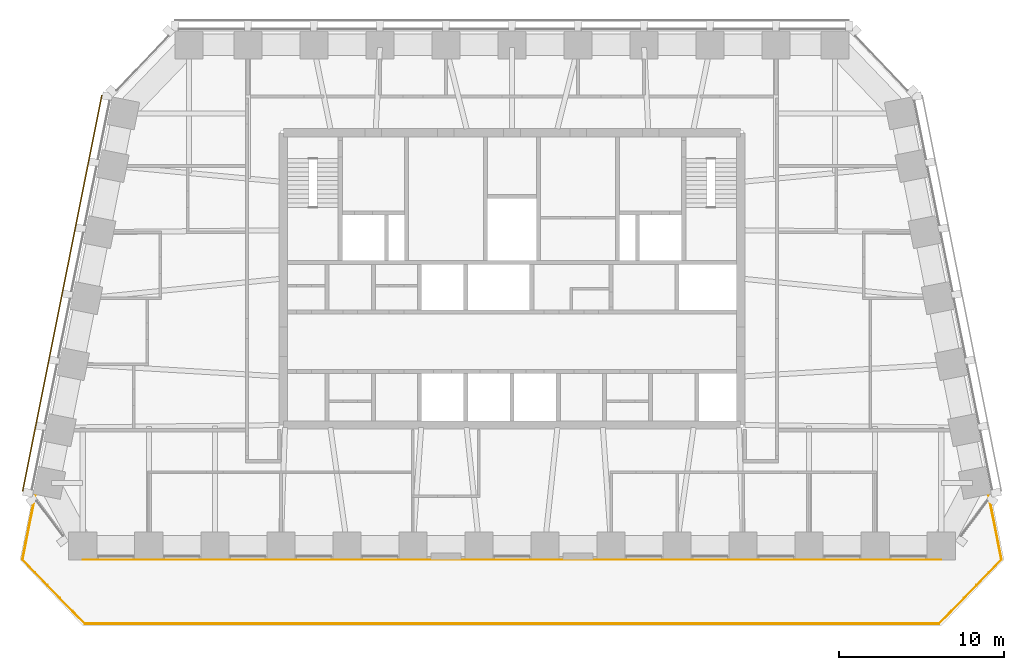
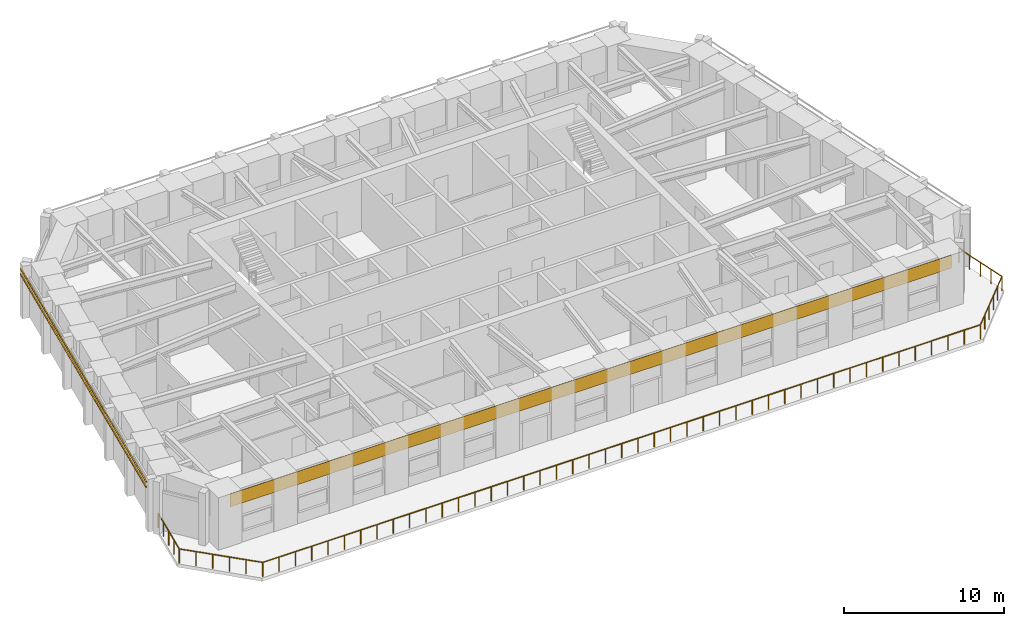
# One storey, part 8 of 10: 2 shading devices, 1 covering, 1 railing.
"""IFC4 building model written with IfcOpenShell, lengths in metres."""

from ifc_helpers import new_model, si_unit, direction, frame, origin, origin_2d, place, context, subcontext, project, spatial, rectangle, circle, extrude, material, layer, layer_set, material_profile, profile_set, type_object, element, save


model = new_model("IFC4")

# Units and contexts
model_context = context("Model", 3, precision=1e-05, world=origin(), true_north=direction((0.0, 1.0)))
body_context = subcontext(model_context, "Body", "Model", "MODEL_VIEW")
ifc_project = project(units=[si_unit("LENGTHUNIT", "METRE"), si_unit("AREAUNIT", "SQUARE_METRE"), si_unit("VOLUMEUNIT", "CUBIC_METRE"), si_unit("PLANEANGLEUNIT", "RADIAN"), si_unit("MASSUNIT", "GRAM", prefix="KILO")], contexts=[model_context])

# Site, building, storey
site_placement = place(None, origin())
site = spatial("IfcSite", under=ifc_project, at=site_placement, CompositionType="ELEMENT")
building_placement = place(site_placement, origin())
building = spatial("IfcBuilding", under=site, at=building_placement, Name="Isbrekke Arena Tower", CompositionType="ELEMENT")
storey_placement = place(building_placement, frame((0.0, 0.0, 296.0)))
storey = spatial("IfcBuildingStorey", under=building, at=storey_placement, Name="L69", CompositionType="ELEMENT", Elevation=296.0)

# Shading devices
ifc_material_1 = material(Name="Terracotta", Category="masonry")
ifc_material_profile = material_profile(ifc_material_1, rectangle(XDim=0.06005859375, YDim=0.06005859375, at=origin_2d()), Name="BAGUETTE 60X60")
ifc_profile_set = profile_set([ifc_material_profile], Name="Terracotta")
shading_device_type = type_object("IfcShadingDeviceType", Name="BG1 TERRACOTTA BAGUETTE 60 x 60", PredefinedType="USERDEFINED", material=ifc_profile_set)
for number, where, z_axis, x_axis, name in (
    (1, (-24.84228515625, 26.12841796875, 3.280029296875), (-0.196118053403, -0.980580292036, 0.0), (0.980580292036, -0.196118053403, 0.0), "BG1 terracotta baguette W1 L69"),
    (2, (-24.84228515625, 26.12841796875, 3.679931640625), (-0.196118053403, -0.980580292036, 0.0), (0.980580292036, -0.196118053403, 0.0), "BG1 terracotta baguette W2 L69"),
):
    element("IfcShadingDevice", number, at=place(storey_placement, frame(where, z_axis=z_axis, x_axis=x_axis)), inside=storey, type_object=shading_device_type, Name=name, ObjectType="TERRACOTTA BAGUETTE", PredefinedType="USERDEFINED", context=body_context, shape_type="SweptSolid", body=[
        extrude(rectangle(XDim=0.06005859375, YDim=0.06005859375, at=origin_2d()), origin(), (0.0, 0.0, 1.0), 24.475341796875),
    ])

# Covering
ifc_material_2 = material(Name="Pre-patinated copper sheet", Category="metal")
ifc_layer = layer(ifc_material_2, 0.02001953125)
ifc_layer_set = layer_set([ifc_layer], Name="CL1 COPPER CLADDING")
covering_type = type_object("IfcCoveringType", Name="CL1 COPPER CLADDING", PredefinedType="CLADDING", material=ifc_layer_set)
covering_placement = place(storey_placement, frame((0.0, -2.010009765625, 3.0), z_axis=(0.0, 0.0, 1.0), x_axis=(1.0, 0.0, 0.0)))
element("IfcCovering", 3, at=covering_placement, inside=storey, type_object=covering_type, Name="CL1 copper cladding L69", PredefinedType="CLADDING", context=body_context, shape_type="SweptSolid", body=[
    extrude(rectangle(XDim=52.0, YDim=0.02001953125, at=origin_2d()), origin(), (0.0, 0.0, 1.0), 1.0),
])

# Railing
ifc_material_3 = material(Name="Galvanised steel guard", Category="steel")
railing_type = type_object("IfcRailingType", Name="GR2 TERRACE GUARD 1100", PredefinedType="GUARDRAIL", material=ifc_material_3)
railing_placement = place(storey_placement, frame((-28.85498046875, 2.0, 0.0)))
element("IfcRailing", 4, at=railing_placement, inside=storey, type_object=railing_type, Name="GR2 terrace guard L69", PredefinedType="GUARDRAIL", context=body_context, shape_type="SweptSolid", body=[
    extrude(circle(Radius=0.02392578125, at=origin_2d()), frame((0.0, 0.0, 1.076171875), z_axis=(-0.195149043574, -0.980773598132, 0.0), x_axis=(0.980773598132, -0.195149043574, 0.0)), (0.0, 0.0, 1.0), 4.078369140625),
    extrude(circle(Radius=0.02392578125, at=origin_2d()), frame((-0.7958984375, -4.0, 1.076171875), z_axis=(0.697899107327, -0.716196087669, 0.0), x_axis=(0.716196087669, 0.697899107327, 0.0)), (0.0, 0.0, 1.0), 5.417236328125),
    extrude(circle(Radius=0.02392578125, at=origin_2d()), frame((2.98486328125, -7.8798828125, 1.076171875), z_axis=(1.0, 0.0, 0.0), x_axis=(0.0, 1.0, 0.0)), (0.0, 0.0, 1.0), 51.740234375),
    extrude(circle(Radius=0.02392578125, at=origin_2d()), frame((54.72509765625, -7.8798828125, 1.076171875), z_axis=(0.697899107327, 0.716196087669, 0.0), x_axis=(-0.716196087669, 0.697899107327, 0.0)), (0.0, 0.0, 1.0), 5.417236328125),
    extrude(circle(Radius=0.02392578125, at=origin_2d()), frame((58.505859375, -4.0, 1.076171875), z_axis=(-0.195149043574, 0.980773598132, 0.0), x_axis=(-0.980773598132, -0.195149043574, 0.0)), (0.0, 0.0, 1.0), 4.078369140625),
    extrude(circle(Radius=0.02099609375, at=origin_2d()), origin(), (0.0, 0.0, 1.0), 1.052001953125),
    extrude(circle(Radius=0.02099609375, at=origin_2d()), frame((-0.198974609375, -1.0, 0.0)), (0.0, 0.0, 1.0), 1.052001953125),
    extrude(circle(Radius=0.02099609375, at=origin_2d()), frame((-0.39794921875, -2.0, 0.0)), (0.0, 0.0, 1.0), 1.052001953125),
    extrude(circle(Radius=0.02099609375, at=origin_2d()), frame((-0.596923828125, -3.0, 0.0)), (0.0, 0.0, 1.0), 1.052001953125),
    extrude(circle(Radius=0.02099609375, at=origin_2d()), frame((-0.7958984375, -4.0, 0.0)), (0.0, 0.0, 1.0), 1.052001953125),
    extrude(circle(Radius=0.02099609375, at=origin_2d()), frame((-0.039794921875, -4.77587890625, 0.0)), (0.0, 0.0, 1.0), 1.052001953125),
    extrude(circle(Radius=0.02099609375, at=origin_2d()), frame((0.71630859375, -5.552001953125, 0.0)), (0.0, 0.0, 1.0), 1.052001953125),
    extrude(circle(Radius=0.02099609375, at=origin_2d()), frame((1.47265625, -6.327880859375, 0.0)), (0.0, 0.0, 1.0), 1.052001953125),
    extrude(circle(Radius=0.02099609375, at=origin_2d()), frame((2.228759765625, -7.10400390625, 0.0)), (0.0, 0.0, 1.0), 1.052001953125),
    extrude(circle(Radius=0.02099609375, at=origin_2d()), frame((2.98486328125, -7.8798828125, 0.0)), (0.0, 0.0, 1.0), 1.052001953125),
    extrude(circle(Radius=0.02099609375, at=origin_2d()), frame((4.160888671875, -7.8798828125, 0.0)), (0.0, 0.0, 1.0), 1.052001953125),
    extrude(circle(Radius=0.02099609375, at=origin_2d()), frame((5.336669921875, -7.8798828125, 0.0)), (0.0, 0.0, 1.0), 1.052001953125),
    extrude(circle(Radius=0.02099609375, at=origin_2d()), frame((6.5126953125, -7.8798828125, 0.0)), (0.0, 0.0, 1.0), 1.052001953125),
    extrude(circle(Radius=0.02099609375, at=origin_2d()), frame((7.6884765625, -7.8798828125, 0.0)), (0.0, 0.0, 1.0), 1.052001953125),
    extrude(circle(Radius=0.02099609375, at=origin_2d()), frame((8.864501953125, -7.8798828125, 0.0)), (0.0, 0.0, 1.0), 1.052001953125),
    extrude(circle(Radius=0.02099609375, at=origin_2d()), frame((10.040283203125, -7.8798828125, 0.0)), (0.0, 0.0, 1.0), 1.052001953125),
    extrude(circle(Radius=0.02099609375, at=origin_2d()), frame((11.21630859375, -7.8798828125, 0.0)), (0.0, 0.0, 1.0), 1.052001953125),
    extrude(circle(Radius=0.02099609375, at=origin_2d()), frame((12.39208984375, -7.8798828125, 0.0)), (0.0, 0.0, 1.0), 1.052001953125),
    extrude(circle(Radius=0.02099609375, at=origin_2d()), frame((13.568115234375, -7.8798828125, 0.0)), (0.0, 0.0, 1.0), 1.052001953125),
    extrude(circle(Radius=0.02099609375, at=origin_2d()), frame((14.743896484375, -7.8798828125, 0.0)), (0.0, 0.0, 1.0), 1.052001953125),
    extrude(circle(Radius=0.02099609375, at=origin_2d()), frame((15.919921875, -7.8798828125, 0.0)), (0.0, 0.0, 1.0), 1.052001953125),
    extrude(circle(Radius=0.02099609375, at=origin_2d()), frame((17.095947265625, -7.8798828125, 0.0)), (0.0, 0.0, 1.0), 1.052001953125),
    extrude(circle(Radius=0.02099609375, at=origin_2d()), frame((18.271728515625, -7.8798828125, 0.0)), (0.0, 0.0, 1.0), 1.052001953125),
    extrude(circle(Radius=0.02099609375, at=origin_2d()), frame((19.44775390625, -7.8798828125, 0.0)), (0.0, 0.0, 1.0), 1.052001953125),
    extrude(circle(Radius=0.02099609375, at=origin_2d()), frame((20.62353515625, -7.8798828125, 0.0)), (0.0, 0.0, 1.0), 1.052001953125),
    extrude(circle(Radius=0.02099609375, at=origin_2d()), frame((21.799560546875, -7.8798828125, 0.0)), (0.0, 0.0, 1.0), 1.052001953125),
    extrude(circle(Radius=0.02099609375, at=origin_2d()), frame((22.975341796875, -7.8798828125, 0.0)), (0.0, 0.0, 1.0), 1.052001953125),
    extrude(circle(Radius=0.02099609375, at=origin_2d()), frame((24.1513671875, -7.8798828125, 0.0)), (0.0, 0.0, 1.0), 1.052001953125),
    extrude(circle(Radius=0.02099609375, at=origin_2d()), frame((25.3271484375, -7.8798828125, 0.0)), (0.0, 0.0, 1.0), 1.052001953125),
    extrude(circle(Radius=0.02099609375, at=origin_2d()), frame((26.503173828125, -7.8798828125, 0.0)), (0.0, 0.0, 1.0), 1.052001953125),
    extrude(circle(Radius=0.02099609375, at=origin_2d()), frame((27.678955078125, -7.8798828125, 0.0)), (0.0, 0.0, 1.0), 1.052001953125),
    extrude(circle(Radius=0.02099609375, at=origin_2d()), frame((28.85498046875, -7.8798828125, 0.0)), (0.0, 0.0, 1.0), 1.052001953125),
    extrude(circle(Radius=0.02099609375, at=origin_2d()), frame((30.031005859375, -7.8798828125, 0.0)), (0.0, 0.0, 1.0), 1.052001953125),
    extrude(circle(Radius=0.02099609375, at=origin_2d()), frame((31.206787109375, -7.8798828125, 0.0)), (0.0, 0.0, 1.0), 1.052001953125),
    extrude(circle(Radius=0.02099609375, at=origin_2d()), frame((32.3828125, -7.8798828125, 0.0)), (0.0, 0.0, 1.0), 1.052001953125),
    extrude(circle(Radius=0.02099609375, at=origin_2d()), frame((33.55859375, -7.8798828125, 0.0)), (0.0, 0.0, 1.0), 1.052001953125),
    extrude(circle(Radius=0.02099609375, at=origin_2d()), frame((34.734619140625, -7.8798828125, 0.0)), (0.0, 0.0, 1.0), 1.052001953125),
    extrude(circle(Radius=0.02099609375, at=origin_2d()), frame((35.910400390625, -7.8798828125, 0.0)), (0.0, 0.0, 1.0), 1.052001953125),
    extrude(circle(Radius=0.02099609375, at=origin_2d()), frame((37.08642578125, -7.8798828125, 0.0)), (0.0, 0.0, 1.0), 1.052001953125),
    extrude(circle(Radius=0.02099609375, at=origin_2d()), frame((38.26220703125, -7.8798828125, 0.0)), (0.0, 0.0, 1.0), 1.052001953125),
    extrude(circle(Radius=0.02099609375, at=origin_2d()), frame((39.438232421875, -7.8798828125, 0.0)), (0.0, 0.0, 1.0), 1.052001953125),
    extrude(circle(Radius=0.02099609375, at=origin_2d()), frame((40.614013671875, -7.8798828125, 0.0)), (0.0, 0.0, 1.0), 1.052001953125),
    extrude(circle(Radius=0.02099609375, at=origin_2d()), frame((41.7900390625, -7.8798828125, 0.0)), (0.0, 0.0, 1.0), 1.052001953125),
    extrude(circle(Radius=0.02099609375, at=origin_2d()), frame((42.966064453125, -7.8798828125, 0.0)), (0.0, 0.0, 1.0), 1.052001953125),
    extrude(circle(Radius=0.02099609375, at=origin_2d()), frame((44.141845703125, -7.8798828125, 0.0)), (0.0, 0.0, 1.0), 1.052001953125),
    extrude(circle(Radius=0.02099609375, at=origin_2d()), frame((45.31787109375, -7.8798828125, 0.0)), (0.0, 0.0, 1.0), 1.052001953125),
    extrude(circle(Radius=0.02099609375, at=origin_2d()), frame((46.49365234375, -7.8798828125, 0.0)), (0.0, 0.0, 1.0), 1.052001953125),
    extrude(circle(Radius=0.02099609375, at=origin_2d()), frame((47.669677734375, -7.8798828125, 0.0)), (0.0, 0.0, 1.0), 1.052001953125),
    extrude(circle(Radius=0.02099609375, at=origin_2d()), frame((48.845458984375, -7.8798828125, 0.0)), (0.0, 0.0, 1.0), 1.052001953125),
    extrude(circle(Radius=0.02099609375, at=origin_2d()), frame((50.021484375, -7.8798828125, 0.0)), (0.0, 0.0, 1.0), 1.052001953125),
    extrude(circle(Radius=0.02099609375, at=origin_2d()), frame((51.197265625, -7.8798828125, 0.0)), (0.0, 0.0, 1.0), 1.052001953125),
    extrude(circle(Radius=0.02099609375, at=origin_2d()), frame((52.373291015625, -7.8798828125, 0.0)), (0.0, 0.0, 1.0), 1.052001953125),
    extrude(circle(Radius=0.02099609375, at=origin_2d()), frame((53.549072265625, -7.8798828125, 0.0)), (0.0, 0.0, 1.0), 1.052001953125),
    extrude(circle(Radius=0.02099609375, at=origin_2d()), frame((54.72509765625, -7.8798828125, 0.0)), (0.0, 0.0, 1.0), 1.052001953125),
    extrude(circle(Radius=0.02099609375, at=origin_2d()), frame((55.481201171875, -7.10400390625, 0.0)), (0.0, 0.0, 1.0), 1.052001953125),
    extrude(circle(Radius=0.02099609375, at=origin_2d()), frame((56.2373046875, -6.327880859375, 0.0)), (0.0, 0.0, 1.0), 1.052001953125),
    extrude(circle(Radius=0.02099609375, at=origin_2d()), frame((56.99365234375, -5.552001953125, 0.0)), (0.0, 0.0, 1.0), 1.052001953125),
    extrude(circle(Radius=0.02099609375, at=origin_2d()), frame((57.749755859375, -4.77587890625, 0.0)), (0.0, 0.0, 1.0), 1.052001953125),
    extrude(circle(Radius=0.02099609375, at=origin_2d()), frame((58.505859375, -4.0, 0.0)), (0.0, 0.0, 1.0), 1.052001953125),
    extrude(circle(Radius=0.02099609375, at=origin_2d()), frame((58.306884765625, -3.0, 0.0)), (0.0, 0.0, 1.0), 1.052001953125),
    extrude(circle(Radius=0.02099609375, at=origin_2d()), frame((58.10791015625, -2.0, 0.0)), (0.0, 0.0, 1.0), 1.052001953125),
    extrude(circle(Radius=0.02099609375, at=origin_2d()), frame((57.908935546875, -1.0, 0.0)), (0.0, 0.0, 1.0), 1.052001953125),
    extrude(circle(Radius=0.02099609375, at=origin_2d()), frame((57.7099609375, 0.0, 0.0)), (0.0, 0.0, 1.0), 1.052001953125),
])

save(model, "model.ifc")
